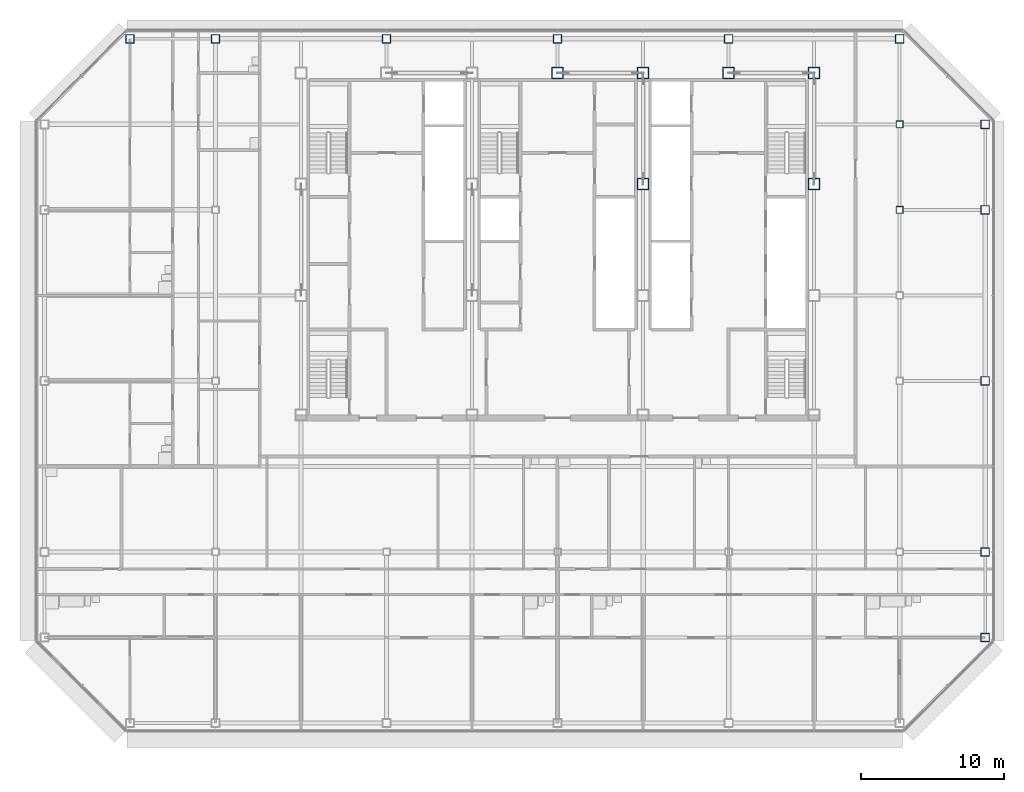
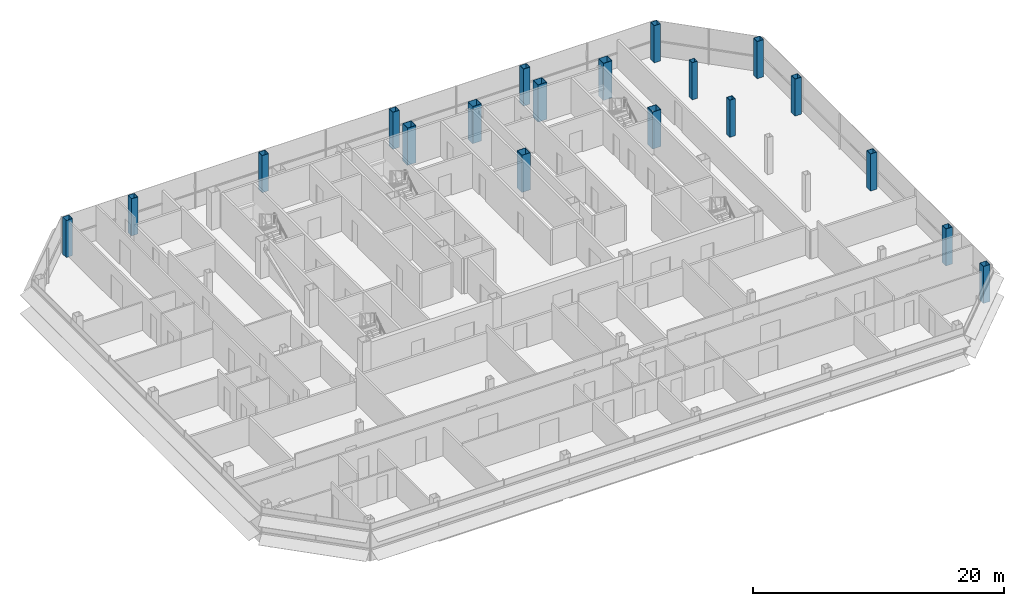
# One storey, part 2 of 28: 19 columns.
"""IFC4 building model written with IfcOpenShell, lengths in metres."""

from ifc_helpers import new_model, si_unit, direction, frame, origin, origin_2d, place, context, subcontext, project, spatial, hollow_rectangle, extrude, material, material_profile, profile_set, type_object, element, save


model = new_model("IFC4")

# Units and contexts
model_context = context("Model", 3, precision=1e-05, world=origin(), true_north=direction((0.0, 1.0)))
body_context = subcontext(model_context, "Body", "Model", "MODEL_VIEW")
ifc_project = project(units=[si_unit("LENGTHUNIT", "METRE"), si_unit("AREAUNIT", "SQUARE_METRE"), si_unit("VOLUMEUNIT", "CUBIC_METRE"), si_unit("PLANEANGLEUNIT", "RADIAN"), si_unit("MASSUNIT", "GRAM", prefix="KILO")], contexts=[model_context])

# Site, building, storey
site_placement = place(None, origin())
site = spatial("IfcSite", under=ifc_project, at=site_placement, CompositionType="ELEMENT")
building_placement = place(site_placement, origin())
building = spatial("IfcBuilding", under=site, at=building_placement, Name="Sorahane Residences", CompositionType="ELEMENT")
storey_placement = place(building_placement, frame((0.0, 0.0, 270.199951171875)))
storey = spatial("IfcBuildingStorey", under=building, at=storey_placement, Name="L64", CompositionType="ELEMENT", Elevation=270.199951171875)

# Columns
ifc_material_1 = material(Name="Steel Q355B", Category="steel")
ifc_material_profile_1 = material_profile(ifc_material_1, hollow_rectangle(XDim=0.5, YDim=0.5, WallThickness=0.02490234375, at=origin_2d()), Name="BOX 500x500x25")
ifc_profile_set_1 = profile_set([ifc_material_profile_1], Name="Steel Q355B")
column_type_1 = type_object("IfcColumnType", Name="Steel box column BOX 500x500x25 Q355B", PredefinedType="COLUMN", material=ifc_profile_set_1)
for number, where, z_axis, x_axis, name in (
    (1, (48.0, 36.0, 0.0), (0.0, 0.0, 1.0), (1.0, 0.0, 0.0), "Column L64 48/36"),
    (2, (48.0, 42.0, 0.0), (0.0, 0.0, 1.0), (1.0, 0.0, 0.0), "Column L64 48/42"),
):
    element("IfcColumn", number, at=place(storey_placement, frame(where, z_axis=z_axis, x_axis=x_axis)), inside=storey, type_object=column_type_1, Name=name, PredefinedType="COLUMN", context=body_context, shape_type="SweptSolid", body=[
        extrude(hollow_rectangle(XDim=0.5, YDim=0.5, WallThickness=0.02490234375, at=origin_2d()), origin(), (0.0, 0.0, 1.0), 3.60009765625),
    ])
ifc_material_2 = material(Name="Steel Q355B", Category="steel")
ifc_material_profile_2 = material_profile(ifc_material_2, hollow_rectangle(XDim=0.60009765625, YDim=0.60009765625, WallThickness=0.028076171875, at=origin_2d()), Name="BOX 600x600x28")
ifc_profile_set_2 = profile_set([ifc_material_profile_2], Name="Steel Q355B")
column_type_2 = type_object("IfcColumnType", Name="Steel box column BOX 600x600x28 Q355B", PredefinedType="COLUMN", material=ifc_profile_set_2)
for number, where, z_axis, x_axis, name in (
    (3, (-6.0, 48.0, 0.0), (0.0, 0.0, 1.0), (1.0, 0.0, 0.0), "Column L64 m6/48"),
    (4, (0.0, 48.0, 0.0), (0.0, 0.0, 1.0), (1.0, 0.0, 0.0), "Column L64 0/48"),
    (5, (12.0, 48.0, 0.0), (0.0, 0.0, 1.0), (1.0, 0.0, 0.0), "Column L64 12/48"),
    (6, (24.0, 48.0, 0.0), (0.0, 0.0, 1.0), (1.0, 0.0, 0.0), "Column L64 24/48"),
    (7, (36.0, 48.0, 0.0), (0.0, 0.0, 1.0), (1.0, 0.0, 0.0), "Column L64 36/48"),
    (8, (48.0, 48.0, 0.0), (0.0, 0.0, 1.0), (1.0, 0.0, 0.0), "Column L64 48/48"),
    (9, (54.0, 6.0, 0.0), (0.0, 0.0, 1.0), (1.0, 0.0, 0.0), "Column L64 54/6"),
    (10, (54.0, 12.0, 0.0), (0.0, 0.0, 1.0), (1.0, 0.0, 0.0), "Column L64 54/12"),
    (11, (54.0, 24.0, 0.0), (0.0, 0.0, 1.0), (1.0, 0.0, 0.0), "Column L64 54/24"),
    (12, (54.0, 36.0, 0.0), (0.0, 0.0, 1.0), (1.0, 0.0, 0.0), "Column L64 54/36"),
    (13, (54.0, 42.0, 0.0), (0.0, 0.0, 1.0), (1.0, 0.0, 0.0), "Column L64 54/42"),
):
    element("IfcColumn", number, at=place(storey_placement, frame(where, z_axis=z_axis, x_axis=x_axis)), inside=storey, type_object=column_type_2, Name=name, PredefinedType="COLUMN", context=body_context, shape_type="SweptSolid", body=[
        extrude(hollow_rectangle(XDim=0.60009765625, YDim=0.60009765625, WallThickness=0.028076171875, at=origin_2d()), origin(), (0.0, 0.0, 1.0), 3.60009765625),
    ])
ifc_material_3 = material(Name="Steel Q355B", Category="steel")
ifc_material_profile_3 = material_profile(ifc_material_3, hollow_rectangle(XDim=0.800048828125, YDim=0.800048828125, WallThickness=0.031982421875, at=origin_2d()), Name="BOX 800x800x32")
ifc_profile_set_3 = profile_set([ifc_material_profile_3], Name="Steel Q355B")
column_type_3 = type_object("IfcColumnType", Name="Steel box column BOX 800x800x32 Q355B", PredefinedType="COLUMN", material=ifc_profile_set_3)
for number, where, z_axis, x_axis, name in (
    (14, (24.0, 45.60009765625, 0.0), (0.0, 0.0, 1.0), (1.0, 0.0, 0.0), "Column L64 24/45.6"),
    (15, (30.0, 37.800048828125, 0.0), (0.0, 0.0, 1.0), (1.0, 0.0, 0.0), "Column L64 30/37.8"),
    (16, (30.0, 45.60009765625, 0.0), (0.0, 0.0, 1.0), (1.0, 0.0, 0.0), "Column L64 30/45.6"),
    (17, (36.0, 45.60009765625, 0.0), (0.0, 0.0, 1.0), (1.0, 0.0, 0.0), "Column L64 36/45.6"),
    (18, (42.0, 37.800048828125, 0.0), (0.0, 0.0, 1.0), (1.0, 0.0, 0.0), "Column L64 42/37.8"),
    (19, (42.0, 45.60009765625, 0.0), (0.0, 0.0, 1.0), (1.0, 0.0, 0.0), "Column L64 42/45.6"),
):
    element("IfcColumn", number, at=place(storey_placement, frame(where, z_axis=z_axis, x_axis=x_axis)), inside=storey, type_object=column_type_3, Name=name, PredefinedType="COLUMN", context=body_context, shape_type="SweptSolid", body=[
        extrude(hollow_rectangle(XDim=0.800048828125, YDim=0.800048828125, WallThickness=0.031982421875, at=origin_2d()), origin(), (0.0, 0.0, 1.0), 3.60009765625),
    ])

save(model, "model.ifc")
